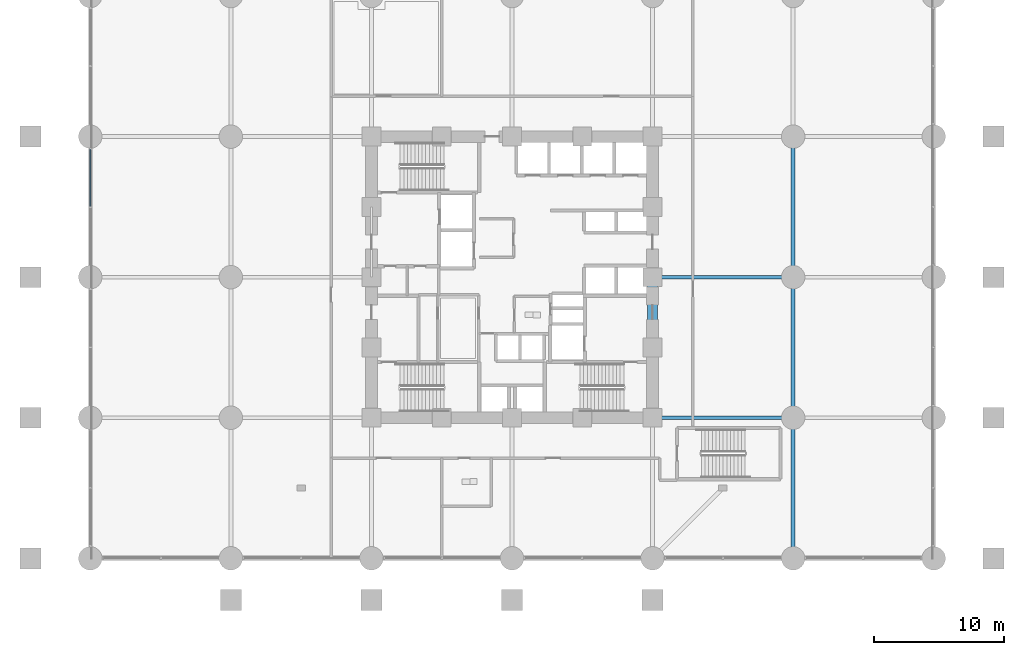
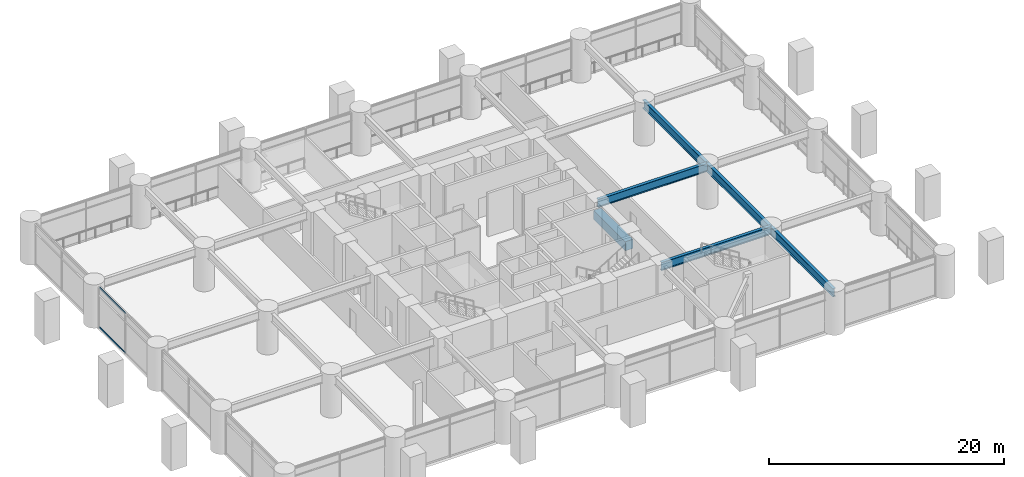
# One storey, part 11 of 31: 6 beams, 2 members, 1 element without a shape of its own.
"""IFC4 building model written with IfcOpenShell, lengths in metres."""

from ifc_helpers import new_model, si_unit, direction, frame, origin, origin_2d, place, context, subcontext, project, spatial, rectangle, hollow_rectangle, i_section, extrude, material, layer, layer_set, material_profile, profile_set, type_object, element, aggregate, save


model = new_model("IFC4")

# Units and contexts
model_context = context("Model", 3, precision=1e-05, world=origin(), true_north=direction((0.0, 1.0)))
body_context = subcontext(model_context, "Body", "Model", "MODEL_VIEW")
ifc_project = project(units=[si_unit("LENGTHUNIT", "METRE"), si_unit("AREAUNIT", "SQUARE_METRE"), si_unit("VOLUMEUNIT", "CUBIC_METRE"), si_unit("PLANEANGLEUNIT", "RADIAN"), si_unit("MASSUNIT", "GRAM", prefix="KILO")], contexts=[model_context])

# Site, building, storey
site_placement = place(None, origin())
site = spatial("IfcSite", under=ifc_project, at=site_placement, CompositionType="ELEMENT")
building_placement = place(site_placement, origin())
building = spatial("IfcBuilding", under=site, at=building_placement, Name="Surkhivell Harbour Commons", CompositionType="ELEMENT")
storey_placement = place(building_placement, frame((0.0, 0.0, 4.5)))
storey = spatial("IfcBuildingStorey", under=building, at=storey_placement, Name="L01", CompositionType="ELEMENT", Elevation=4.5)

# Beams
ifc_material_1 = material(Name="Concrete C60/75", Category="concrete")
ifc_material_profile_1 = material_profile(ifc_material_1, rectangle(XDim=0.75, YDim=0.949951171875, at=origin_2d()), Name="RC-CBM-750x950")
ifc_profile_set_1 = profile_set([ifc_material_profile_1], Name="Concrete C60/75")
beam_type_1 = type_object("IfcBeamType", Name="BM-CPL-RC950", PredefinedType="BEAM", material=ifc_profile_set_1)
beam_placement = place(storey_placement, frame((10.800048828125, -5.39990234375, 2.699951171875), z_axis=(0.0, 1.0, 0.0), x_axis=(-1.0, 0.0, 0.0)))
element("IfcBeam", 1, at=beam_placement, inside=storey, type_object=beam_type_1, Name="L01 Core Coupling Beam CB-1", PredefinedType="BEAM", context=body_context, shape_type="SweptSolid", body=[
    extrude(rectangle(XDim=0.75, YDim=0.949951171875, at=origin_2d()), origin(), (0.0, 0.0, 1.0), 5.39990234375),
])
ifc_material_2 = material(Name="Steel S460", Category="steel")
ifc_material_profile_2 = material_profile(ifc_material_2, i_section(OverallWidth=0.2939453125, OverallDepth=0.85107421875, WebThickness=0.01611328125, FlangeThickness=0.02685546875, at=origin_2d()), Name="UB838x292x226")
ifc_profile_set_2 = profile_set([ifc_material_profile_2], Name="Steel S460")
beam_type_2 = type_object("IfcBeamType", Name="BM-SPN-838", PredefinedType="SPANDREL", material=ifc_profile_set_2)
for number, where, z_axis, x_axis, name in (
    (2, (10.800048828125, -10.800048828125, 3.824462890625), (1.0, 0.0, 0.0), (0.0, 1.0, 0.0), "L01 Framing Beam (10.8,-10.8)"),
    (3, (10.800048828125, 0.0, 3.824462890625), (1.0, 0.0, 0.0), (0.0, 1.0, 0.0), "L01 Framing Beam (10.8,0.0)"),
    (4, (21.60009765625, -21.60009765625, 3.824462890625), (0.0, 1.0, 0.0), (-1.0, 0.0, 0.0), "L01 Framing Beam (21.6,-21.6)"),
    (5, (21.60009765625, -10.800048828125, 3.824462890625), (0.0, 1.0, 0.0), (-1.0, 0.0, 0.0), "L01 Framing Beam (21.6,-10.8)"),
    (6, (21.60009765625, 0.0, 3.824462890625), (0.0, 1.0, 0.0), (-1.0, 0.0, 0.0), "L01 Framing Beam (21.6,0.0)"),
):
    element("IfcBeam", number, at=place(storey_placement, frame(where, z_axis=z_axis, x_axis=x_axis)), inside=storey, type_object=beam_type_2, Name=name, PredefinedType="SPANDREL", context=body_context, shape_type="SweptSolid", body=[
        extrude(i_section(OverallWidth=0.2939453125, OverallDepth=0.85107421875, WebThickness=0.01611328125, FlangeThickness=0.02685546875, at=origin_2d()), origin(), (0.0, 0.0, 1.0), 10.800048828125),
    ])

# Curtain wall, members
ifc_material_3 = material(Name="Anodised pale-metal aluminium and insulated glazing", Category="aluminium")
ifc_layer = layer(ifc_material_3, 0.239990234375)
ifc_layer_set = layer_set([ifc_layer], Name="Anodised pale-metal aluminium and insulated glazing")
curtain_wall_type = type_object("IfcCurtainWallType", Name="CW-SYS-POD", PredefinedType="NOTDEFINED", material=ifc_layer_set)
curtain_wall_placement = place(storey_placement, origin())
curtain_wall = element("IfcCurtainWall", 7, at=curtain_wall_placement, inside=storey, type_object=curtain_wall_type, Name="L01 Curtain Wall CW-L01-P04", PredefinedType="NOTDEFINED")
ifc_material_4 = material(Name="Anodised pale-metal aluminium alloy 6063-T6", Category="aluminium")
ifc_material_profile_3 = material_profile(ifc_material_4, hollow_rectangle(XDim=0.074951171875, YDim=0.14990234375, WallThickness=0.00341796875, at=origin_2d()), Name="ALU-TRAN-75x150")
ifc_profile_set_3 = profile_set([ifc_material_profile_3], Name="Anodised pale-metal aluminium alloy 6063-T6")
member_type = type_object("IfcMemberType", Name="CWT-150", PredefinedType="USERDEFINED", material=ifc_profile_set_3)
member_1_placement = place(storey_placement, frame((-32.39990234375, 9.822998046875, 0.074951171875), z_axis=(0.0, -1.0, 0.0), x_axis=(1.0, 0.0, 0.0)))
member_1 = element("IfcMember", 8, at=member_1_placement, type_object=member_type, Name="CW-POD transom 3.1", ObjectType="TRANSOM", PredefinedType="USERDEFINED", context=body_context, shape_type="SweptSolid", body=[
    extrude(hollow_rectangle(XDim=0.074951171875, YDim=0.14990234375, WallThickness=0.00341796875, at=origin_2d()), origin(), (0.0, 0.0, 1.0), 4.385498046875),
])
member_2_placement = place(storey_placement, frame((-32.39990234375, 9.822998046875, 4.175048828125), z_axis=(0.0, -1.0, 0.0), x_axis=(1.0, 0.0, 0.0)))
member_2 = element("IfcMember", 9, at=member_2_placement, type_object=member_type, Name="CW-POD transom 3.2", ObjectType="TRANSOM", PredefinedType="USERDEFINED", context=body_context, shape_type="SweptSolid", body=[
    extrude(hollow_rectangle(XDim=0.074951171875, YDim=0.14990234375, WallThickness=0.00341796875, at=origin_2d()), origin(), (0.0, 0.0, 1.0), 4.385498046875),
])
aggregate(curtain_wall, [member_1, member_2])

save(model, "model.ifc")
